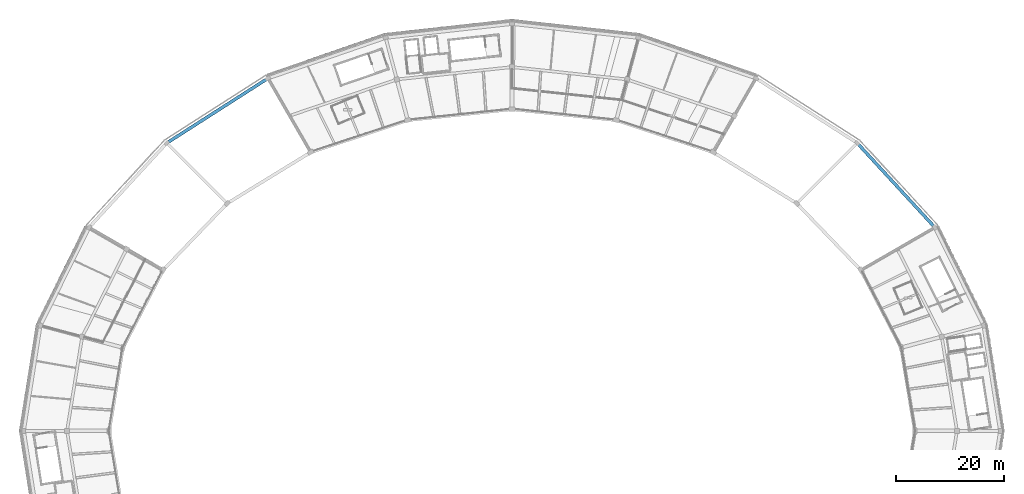
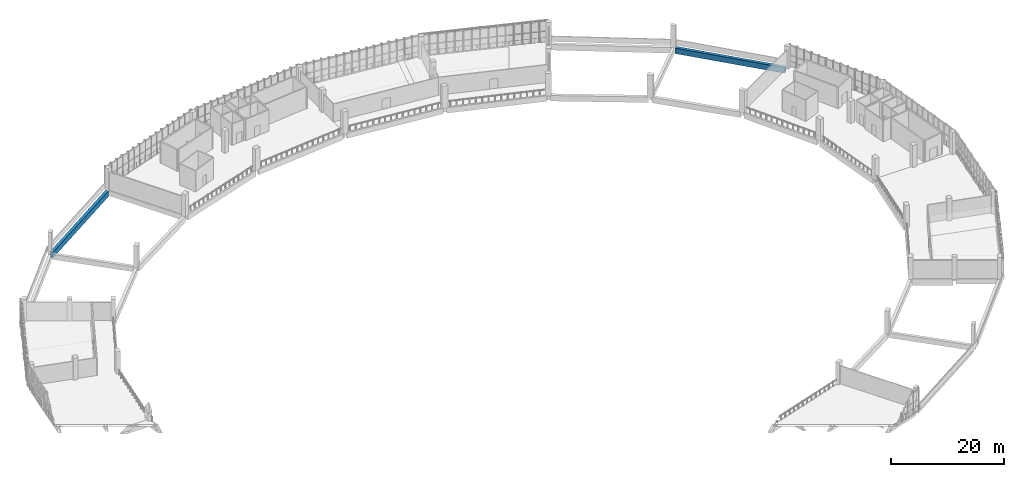
# One storey, part 24 of 64: 2 beams.
"""IFC4 building model written with IfcOpenShell, lengths in metres."""

from ifc_helpers import new_model, si_unit, direction, frame, origin, origin_2d, place, context, subcontext, project, spatial, rectangle, extrude, material, material_profile, profile_set, type_object, element, save


model = new_model("IFC4")

# Units and contexts
model_context = context("Model", 3, precision=1e-05, world=origin(), true_north=direction((0.0, 1.0)))
body_context = subcontext(model_context, "Body", "Model", "MODEL_VIEW")
ifc_project = project(units=[si_unit("LENGTHUNIT", "METRE"), si_unit("AREAUNIT", "SQUARE_METRE"), si_unit("VOLUMEUNIT", "CUBIC_METRE"), si_unit("PLANEANGLEUNIT", "RADIAN"), si_unit("MASSUNIT", "GRAM", prefix="KILO")], contexts=[model_context])

# Site, building, storey
site_placement = place(None, origin())
site = spatial("IfcSite", under=ifc_project, at=site_placement, CompositionType="ELEMENT")
building_placement = place(site_placement, origin())
building = spatial("IfcBuilding", under=site, at=building_placement, Name="Zevraka Park Crest Stadium", CompositionType="ELEMENT")
storey_placement = place(building_placement, frame((0.0, 0.0, 24.60009765625)))
storey = spatial("IfcBuildingStorey", under=building, at=storey_placement, Name="L05", CompositionType="ELEMENT", Elevation=24.60009765625)

# Beams
ifc_material = material(Name="Concrete C40/50", Category="concrete")
ifc_material_profile = material_profile(ifc_material, rectangle(XDim=0.60009765625, YDim=1.199951171875, at=origin_2d()), Name="RC 1200x600")
ifc_profile_set = profile_set([ifc_material_profile], Name="Concrete C40/50")
beam_type = type_object("IfcBeamType", Name="RB01", PredefinedType="BEAM", material=ifc_profile_set)
beam_1_placement = place(storey_placement, frame((189.945068359375, 129.929931640625, -0.610107421875), z_axis=(-0.677158252403, 0.735837414924, 0.0), x_axis=(-0.735837414924, -0.677158252403, 0.0)))
element("IfcBeam", 1, at=beam_1_placement, inside=storey, type_object=beam_type, Name="Ring Beam RB01 L05-D-02", PredefinedType="BEAM", context=body_context, shape_type="SweptSolid", body=[
    extrude(rectangle(XDim=0.60009765625, YDim=1.199951171875, at=origin_2d()), origin(), (0.0, 0.0, 1.0), 20.4326171875),
])
beam_2_placement = place(storey_placement, frame((66.530029296875, 157.007080078125, -0.610107421875), z_axis=(-0.842325571453, -0.538969045193, 0.0), x_axis=(0.538969045193, -0.842325571453, 0.0)))
element("IfcBeam", 2, at=beam_2_placement, inside=storey, type_object=beam_type, Name="Ring Beam RB01 L05-D-08", PredefinedType="BEAM", context=body_context, shape_type="SweptSolid", body=[
    extrude(rectangle(XDim=0.60009765625, YDim=1.199951171875, at=origin_2d()), origin(), (0.0, 0.0, 1.0), 21.443115234375),
])

save(model, "model.ifc")
